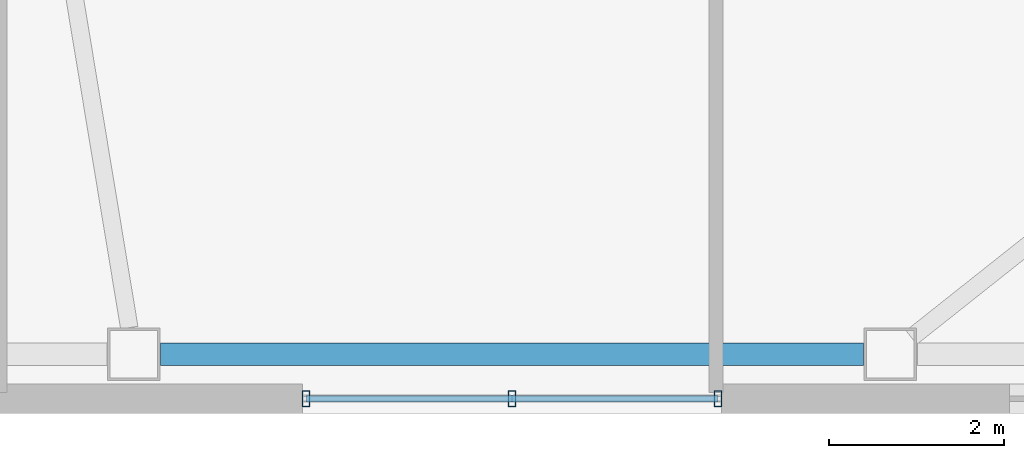
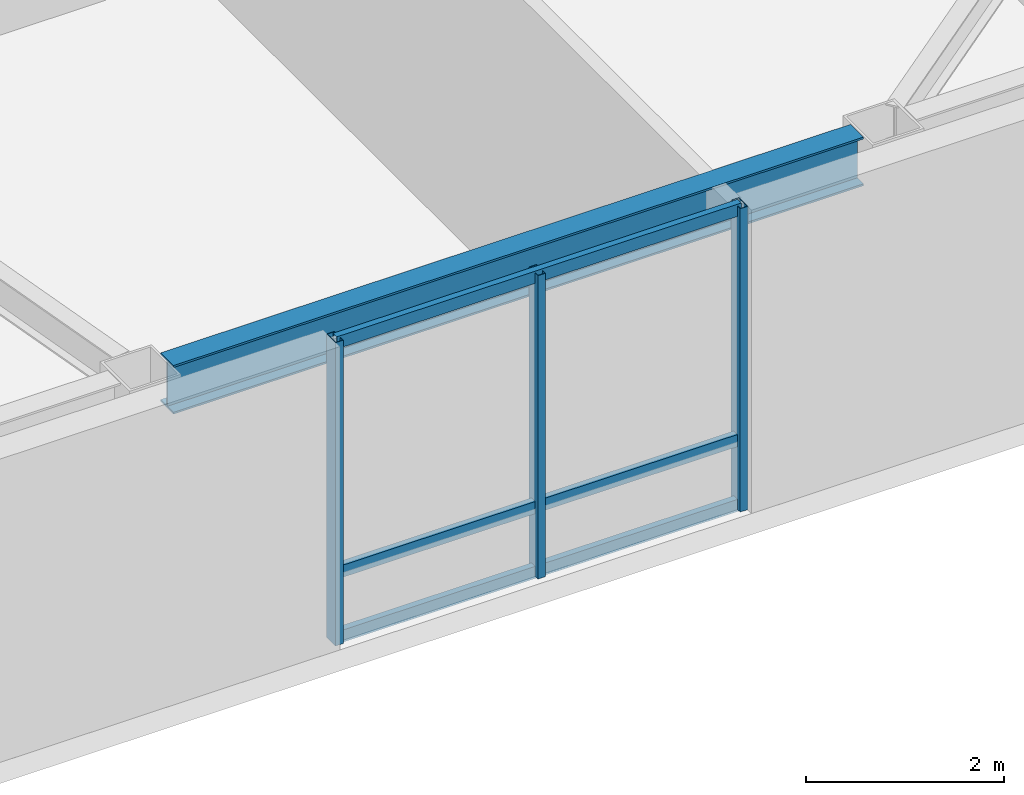
# One storey, part 6 of 20: 6 members, 1 beam, 1 element without a shape of its own.
"""IFC4 building model written with IfcOpenShell, lengths in metres."""

from ifc_helpers import new_model, si_unit, direction, frame, origin, origin_2d, place, context, subcontext, project, spatial, hollow_rectangle, i_section, extrude, material, layer, layer_set, material_profile, profile_set, type_object, element, aggregate, save


model = new_model("IFC4")

# Units and contexts
model_context = context("Model", 3, precision=1e-05, world=origin(), true_north=direction((0.0, 1.0)))
body_context = subcontext(model_context, "Body", "Model", "MODEL_VIEW")
ifc_project = project(units=[si_unit("LENGTHUNIT", "METRE"), si_unit("AREAUNIT", "SQUARE_METRE"), si_unit("VOLUMEUNIT", "CUBIC_METRE"), si_unit("PLANEANGLEUNIT", "RADIAN"), si_unit("MASSUNIT", "GRAM", prefix="KILO")], contexts=[model_context])

# Site, building, storey
site_placement = place(None, origin())
site = spatial("IfcSite", under=ifc_project, at=site_placement, CompositionType="ELEMENT")
building_placement = place(site_placement, origin())
building = spatial("IfcBuilding", under=site, at=building_placement, Name="Tavrogorsk Clinical Tower", CompositionType="ELEMENT")
storey_placement = place(building_placement, frame((0.0, 0.0, 176.199951171875)))
storey = spatial("IfcBuildingStorey", under=building, at=storey_placement, Name="L40", CompositionType="ELEMENT", Elevation=176.199951171875)

# Curtain wall, members
ifc_material_1 = material(Name="Anodised aluminium and triple IGU glazing", Category="aluminium")
ifc_layer = layer(ifc_material_1, 0.179931640625)
ifc_layer_set = layer_set([ifc_layer], Name="Anodised aluminium and triple IGU glazing")
curtain_wall_type = type_object("IfcCurtainWallType", Name="CW3_SouthSlot", PredefinedType="NOTDEFINED", material=ifc_layer_set)
curtain_wall_placement = place(storey_placement, origin())
curtain_wall = element("IfcCurtainWall", 1, at=curtain_wall_placement, inside=storey, type_object=curtain_wall_type, Name="L40 Curtain Wall CW-L40-S-SLOT-2", PredefinedType="NOTDEFINED")
ifc_material_2 = material(Name="Anodised aluminium alloy AW-6060", Category="aluminium")
ifc_material_profile_1 = material_profile(ifc_material_2, hollow_rectangle(XDim=0.090087890625, YDim=0.179931640625, WallThickness=0.00634765625, at=origin_2d()), Name="RHS-180x90x6.3")
ifc_profile_set_1 = profile_set([ifc_material_profile_1], Name="Anodised aluminium alloy AW-6060")
member_type_1 = type_object("IfcMemberType", Name="CwMullion_180x90", PredefinedType="MULLION", material=ifc_profile_set_1)
member_1_placement = place(storey_placement, frame((8.703857421875, -20.929931640625, 0.0), z_axis=(0.0, 0.0, 1.0), x_axis=(1.0, 0.0, 0.0)))
member_1 = element("IfcMember", 2, at=member_1_placement, type_object=member_type_1, Name="CW-L40-S-SLOT-2 Mullion 1", PredefinedType="MULLION", context=body_context, shape_type="SweptSolid", body=[
    extrude(hollow_rectangle(XDim=0.090087890625, YDim=0.179931640625, WallThickness=0.00634765625, at=origin_2d()), origin(), (0.0, 0.0, 1.0), 3.739990234375),
])
member_2_placement = place(storey_placement, frame((11.062744140625, -20.929931640625, 0.0), z_axis=(0.0, 0.0, 1.0), x_axis=(1.0, 0.0, 0.0)))
member_2 = element("IfcMember", 3, at=member_2_placement, type_object=member_type_1, Name="CW-L40-S-SLOT-2 Mullion 2", PredefinedType="MULLION", context=body_context, shape_type="SweptSolid", body=[
    extrude(hollow_rectangle(XDim=0.090087890625, YDim=0.179931640625, WallThickness=0.00634765625, at=origin_2d()), origin(), (0.0, 0.0, 1.0), 3.739990234375),
])
member_3_placement = place(storey_placement, frame((13.421875, -20.929931640625, 0.0), z_axis=(0.0, 0.0, 1.0), x_axis=(1.0, 0.0, 0.0)))
member_3 = element("IfcMember", 4, at=member_3_placement, type_object=member_type_1, Name="CW-L40-S-SLOT-2 Mullion 3", PredefinedType="MULLION", context=body_context, shape_type="SweptSolid", body=[
    extrude(hollow_rectangle(XDim=0.090087890625, YDim=0.179931640625, WallThickness=0.00634765625, at=origin_2d()), origin(), (0.0, 0.0, 1.0), 3.739990234375),
])
ifc_material_3 = material(Name="Anodised aluminium alloy AW-6060", Category="aluminium")
ifc_material_profile_2 = material_profile(ifc_material_3, hollow_rectangle(XDim=0.074951171875, YDim=0.14990234375, WallThickness=0.0048828125, at=origin_2d()), Name="RHS-150x75x5")
ifc_profile_set_2 = profile_set([ifc_material_profile_2], Name="Anodised aluminium alloy AW-6060")
member_type_2 = type_object("IfcMemberType", Name="CwTransom_150x75", PredefinedType="USERDEFINED", material=ifc_profile_set_2)
member_4_placement = place(storey_placement, frame((8.703857421875, -20.929931640625, 0.050048828125), z_axis=(1.0, 0.0, 0.0), x_axis=(0.0, 1.0, 0.0)))
member_4 = element("IfcMember", 5, at=member_4_placement, type_object=member_type_2, Name="CW-L40-S-SLOT-2 Transom 1", ObjectType="TRANSOM", PredefinedType="USERDEFINED", context=body_context, shape_type="SweptSolid", body=[
    extrude(hollow_rectangle(XDim=0.074951171875, YDim=0.14990234375, WallThickness=0.0048828125, at=origin_2d()), origin(), (0.0, 0.0, 1.0), 4.718017578125),
])
member_5_placement = place(storey_placement, frame((8.703857421875, -20.929931640625, 0.85009765625), z_axis=(1.0, 0.0, 0.0), x_axis=(0.0, 1.0, 0.0)))
member_5 = element("IfcMember", 6, at=member_5_placement, type_object=member_type_2, Name="CW-L40-S-SLOT-2 Transom 2", ObjectType="TRANSOM", PredefinedType="USERDEFINED", context=body_context, shape_type="SweptSolid", body=[
    extrude(hollow_rectangle(XDim=0.074951171875, YDim=0.14990234375, WallThickness=0.0048828125, at=origin_2d()), origin(), (0.0, 0.0, 1.0), 4.718017578125),
])
member_6_placement = place(storey_placement, frame((8.703857421875, -20.929931640625, 3.68994140625), z_axis=(1.0, 0.0, 0.0), x_axis=(0.0, 1.0, 0.0)))
member_6 = element("IfcMember", 7, at=member_6_placement, type_object=member_type_2, Name="CW-L40-S-SLOT-2 Transom 3", ObjectType="TRANSOM", PredefinedType="USERDEFINED", context=body_context, shape_type="SweptSolid", body=[
    extrude(hollow_rectangle(XDim=0.074951171875, YDim=0.14990234375, WallThickness=0.0048828125, at=origin_2d()), origin(), (0.0, 0.0, 1.0), 4.718017578125),
])
aggregate(curtain_wall, [member_1, member_2, member_3, member_4, member_5, member_6])

# Beam
ifc_material_4 = material(Name="Structural steel S390", Category="steel")
ifc_material_profile_3 = material_profile(ifc_material_4, i_section(OverallWidth=0.260009765625, OverallDepth=0.60009765625, WebThickness=0.014892578125, FlangeThickness=0.02392578125, at=origin_2d()), Name="B-600x260x15x24")
ifc_profile_set_3 = profile_set([ifc_material_profile_3], Name="Structural steel S390")
beam_type = type_object("IfcBeamType", Name="SpandrelBeam_B600", PredefinedType="SPANDREL", material=ifc_profile_set_3)
beam_placement = place(storey_placement, frame((7.039306640625, -20.419921875, 3.43994140625), z_axis=(1.0, 0.0, 0.0), x_axis=(0.0, 1.0, 0.0)))
element("IfcBeam", 8, at=beam_placement, inside=storey, type_object=beam_type, Name="L40 Perimeter Spandrel S5-S6", PredefinedType="SPANDREL", context=body_context, shape_type="SweptSolid", body=[
    extrude(i_section(OverallWidth=0.260009765625, OverallDepth=0.60009765625, WebThickness=0.014892578125, FlangeThickness=0.02392578125, at=origin_2d()), origin(), (0.0, 0.0, 1.0), 8.046875),
])

save(model, "model.ifc")
